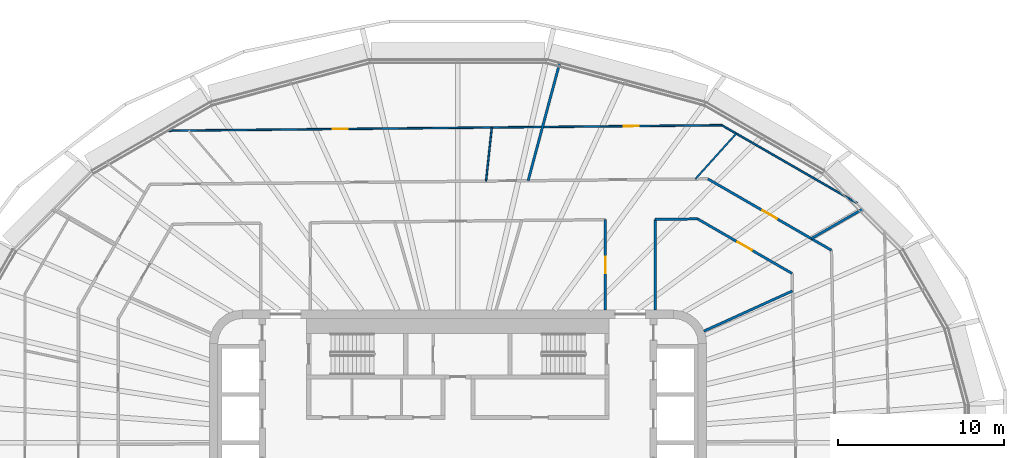
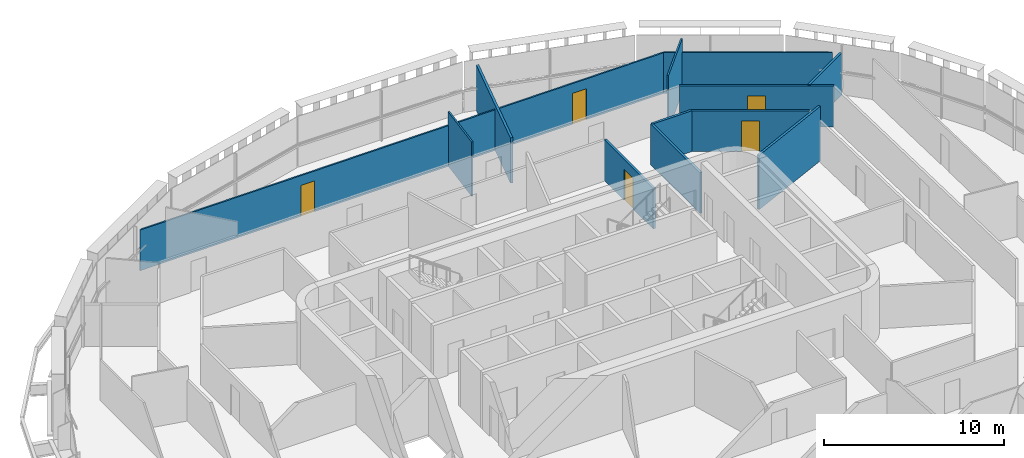
# One storey, part 14 of 22: 12 walls, 5 doors, 5 openings.
"""IFC4 building model written with IfcOpenShell, lengths in metres."""

from ifc_helpers import new_model, si_unit, direction, frame, frame_2d, origin, place, context, subcontext, project, spatial, rectangle, extrude, material, layer, layer_set, type_object, element, fill, save


model = new_model("IFC4")

# Units and contexts
model_context = context("Model", 3, precision=1e-05, world=origin(), true_north=direction((0.0, 1.0)))
body_context = subcontext(model_context, "Body", "Model", "MODEL_VIEW")
ifc_project = project(units=[si_unit("LENGTHUNIT", "METRE"), si_unit("AREAUNIT", "SQUARE_METRE"), si_unit("VOLUMEUNIT", "CUBIC_METRE"), si_unit("PLANEANGLEUNIT", "RADIAN"), si_unit("MASSUNIT", "GRAM", prefix="KILO")], contexts=[model_context])

# Site, building, storey
site_placement = place(None, origin())
site = spatial("IfcSite", under=ifc_project, at=site_placement, CompositionType="ELEMENT")
building_placement = place(site_placement, origin())
building = spatial("IfcBuilding", under=site, at=building_placement, Name="Sahrelin Media Tower", CompositionType="ELEMENT")
storey_placement = place(building_placement, frame((0.0, 0.0, 189.60009765625)))
storey = spatial("IfcBuildingStorey", under=building, at=storey_placement, Name="L40", CompositionType="ELEMENT", Elevation=189.60009765625)

# Wall, opening, door
ifc_material_1 = material(Name="Fire-rated gypsum board partition")
ifc_layer_1 = layer(ifc_material_1, 0.14990234375)
ifc_layer_set_1 = layer_set([ifc_layer_1], Name="Fire-rated partition 150")
wall_type_1 = type_object("IfcWallType", Name="Fire-rated partition 150", PredefinedType="PARTITIONING", material=ifc_layer_set_1)
wall_1_placement = place(storey_placement, frame((14.447998046875, 13.514892578125, 0.0), z_axis=(0.0, 0.0, 1.0), x_axis=(0.866032288321, -0.499988075443, 0.0)))
wall_1 = element("IfcWall", 1, at=wall_1_placement, inside=storey, type_object=wall_type_1, Name="Wall", PredefinedType="PARTITIONING", context=body_context, shape_type="SweptSolid", body=[
    extrude(rectangle(XDim=6.603759765625, YDim=0.14990234375, at=frame_2d((3.3017578125, 0.0))), origin(), (0.0, 0.0, 1.0), 2.77685546875),
])
opening_1_placement = place(wall_1_placement, frame((2.801513671875, 0.0, 0.0)))
opening_1 = element("IfcOpeningElement", 2, at=opening_1_placement, cuts=wall_1, Name="Opening L40-D27", PredefinedType="OPENING", context=body_context, shape_type="SweptSolid", body=[
    extrude(rectangle(XDim=1.0, YDim=2.10009765625, at=frame_2d((0.5, 1.050048828125))), frame((0.0, 0.074951171875, 0.0), z_axis=(0.0, -1.0, 0.0), x_axis=(1.0, 0.0, 0.0)), (0.0, 0.0, 1.0), 0.14990234375),
])
ifc_material_2 = material(Name="Steel fire door leaf", Category="steel")
door_type_1 = type_object("IfcDoorType", Name="Fire door 1000 x 2100 EI 60", OperationType="NOTDEFINED", PredefinedType="DOOR", material=ifc_material_2)
door_1_placement = place(opening_1_placement, origin())
door_1 = element("IfcDoor", 3, at=door_1_placement, inside=storey, type_object=door_type_1, Name="Fire door", OperationType="SINGLE_SWING_RIGHT", OverallHeight=2.10009765625, OverallWidth=1.0, PredefinedType="DOOR", context=body_context, shape_type="SweptSolid", body=[
    extrude(rectangle(XDim=1.0, YDim=2.10009765625, at=frame_2d((0.5, 1.050048828125))), frame((0.0, 0.02490234375, 0.0), z_axis=(0.0, -1.0, 0.0), x_axis=(1.0, 0.0, 0.0)), (0.0, 0.0, 1.0), 0.050048828125),
])
fill(opening_1, door_1)

wall_2_placement = place(storey_placement, frame((15.080078125, 15.921142578125, 0.0), z_axis=(0.0, 0.0, 1.0), x_axis=(0.866020838546, -0.500007907142, 0.0)))
wall_2 = element("IfcWall", 4, at=wall_2_placement, inside=storey, type_object=wall_type_1, Name="Wall", PredefinedType="PARTITIONING", context=body_context, shape_type="SweptSolid", body=[
    extrude(rectangle(XDim=8.612548828125, YDim=0.14990234375, at=frame_2d((4.30615234375, 0.0))), origin(), (0.0, 0.0, 1.0), 2.77685546875),
])
opening_2_placement = place(wall_2_placement, frame((3.807861328125, 0.0, 0.0)))
opening_2 = element("IfcOpeningElement", 5, at=opening_2_placement, cuts=wall_2, Name="Opening L40-D38", PredefinedType="OPENING", context=body_context, shape_type="SweptSolid", body=[
    extrude(rectangle(XDim=1.0, YDim=2.10009765625, at=frame_2d((0.5, 1.050048828125))), frame((0.0, 0.074951171875, 0.0), z_axis=(0.0, -1.0, 0.0), x_axis=(1.0, 0.0, 0.0)), (0.0, 0.0, 1.0), 0.14990234375),
])
door_2_placement = place(opening_2_placement, origin())
door_2 = element("IfcDoor", 6, at=door_2_placement, inside=storey, type_object=door_type_1, Name="Fire door", OperationType="SINGLE_SWING_RIGHT", OverallHeight=2.10009765625, OverallWidth=1.0, PredefinedType="DOOR", context=body_context, shape_type="SweptSolid", body=[
    extrude(rectangle(XDim=1.0, YDim=2.10009765625, at=frame_2d((0.5, 1.050048828125))), frame((0.0, 0.02490234375, 0.0), z_axis=(0.0, -1.0, 0.0), x_axis=(1.0, 0.0, 0.0)), (0.0, 0.0, 1.0), 0.050048828125),
])
fill(opening_2, door_2)

# Walls
wall_3_placement = place(storey_placement, frame((11.89990234375, 13.47998046875, 0.0), z_axis=(0.0, 0.0, 1.0), x_axis=(0.999951307579, 0.009868255694, 0.0)))
element("IfcWall", 7, at=wall_3_placement, inside=storey, type_object=wall_type_1, Name="Wall", PredefinedType="PARTITIONING", context=body_context, shape_type="SweptSolid", body=[
    extrude(rectangle(XDim=2.54833984375, YDim=0.14990234375, at=frame_2d((1.274169921875, 0.0))), origin(), (0.0, 0.0, 1.0), 2.77685546875),
])
wall_4_placement = place(storey_placement, frame((14.843017578125, 6.73291015625, 0.0), z_axis=(0.0, 0.0, 1.0), x_axis=(0.910628361306, 0.413226315214, 0.0)))
element("IfcWall", 8, at=wall_4_placement, inside=storey, type_object=wall_type_1, Name="Wall", PredefinedType="PARTITIONING", context=body_context, shape_type="SweptSolid", body=[
    extrude(rectangle(XDim=5.870361328125, YDim=0.14990234375, at=frame_2d((2.93505859375, 0.0))), origin(), (0.0, 0.0, 1.0), 3.699951171875),
])
wall_5_placement = place(storey_placement, frame((21.3291015625, 12.31396484375, 0.0), z_axis=(0.0, 0.0, 1.0), x_axis=(0.866038125567, 0.499977964579, 0.0)))
element("IfcWall", 9, at=wall_5_placement, inside=storey, type_object=wall_type_1, Name="Wall", PredefinedType="PARTITIONING", context=body_context, shape_type="SweptSolid", body=[
    extrude(rectangle(XDim=3.584228515625, YDim=0.14990234375, at=frame_2d((1.7919921875, 0.0))), origin(), (0.0, 0.0, 1.0), 2.844970703125),
])
wall_6_placement = place(storey_placement, frame((4.237060546875, 15.81298828125, 0.0), z_axis=(0.0, 0.0, 1.0), x_axis=(0.258799155252, 0.965931155539, 0.0)))
element("IfcWall", 10, at=wall_6_placement, inside=storey, type_object=wall_type_1, Name="Wall", PredefinedType="PARTITIONING", context=body_context, shape_type="SweptSolid", body=[
    extrude(rectangle(XDim=7.3525390625, YDim=0.14990234375, at=frame_2d((3.67626953125, 0.0))), origin(), (0.0, 0.0, 1.0), 3.077392578125),
])
wall_7_placement = place(storey_placement, frame((11.89990234375, 8.0, 0.0), z_axis=(0.0, 0.0, 1.0), x_axis=(0.0, 1.0, 0.0)))
element("IfcWall", 11, at=wall_7_placement, inside=storey, type_object=wall_type_1, Name="Wall", PredefinedType="PARTITIONING", context=body_context, shape_type="SweptSolid", body=[
    extrude(rectangle(XDim=5.47900390625, YDim=0.14990234375, at=frame_2d((2.739501953125, 0.0))), origin(), (0.0, 0.0, 1.0), 2.77685546875),
])

# Wall, opening, door
wall_8_placement = place(storey_placement, frame((8.89990234375, 8.0, 0.0), z_axis=(0.0, 0.0, 1.0), x_axis=(0.0, 1.0, 0.0)))
wall_8 = element("IfcWall", 12, at=wall_8_placement, inside=storey, type_object=wall_type_1, Name="Wall", PredefinedType="PARTITIONING", context=body_context, shape_type="SweptSolid", body=[
    extrude(rectangle(XDim=5.4599609375, YDim=0.14990234375, at=frame_2d((2.72998046875, 0.0))), origin(), (0.0, 0.0, 1.0), 2.77685546875),
])
opening_3_placement = place(wall_8_placement, frame((2.22998046875, 0.0, 0.0)))
opening_3 = element("IfcOpeningElement", 13, at=opening_3_placement, cuts=wall_8, Name="Opening L40-D28", PredefinedType="OPENING", context=body_context, shape_type="SweptSolid", body=[
    extrude(rectangle(XDim=1.0, YDim=2.10009765625, at=frame_2d((0.5, 1.050048828125))), frame((0.0, 0.074951171875, 0.0), z_axis=(0.0, -1.0, 0.0), x_axis=(1.0, 0.0, 0.0)), (0.0, 0.0, 1.0), 0.14990234375),
])
door_3_placement = place(opening_3_placement, origin())
door_3 = element("IfcDoor", 14, at=door_3_placement, inside=storey, type_object=door_type_1, Name="Fire door", OperationType="SINGLE_SWING_RIGHT", OverallHeight=2.10009765625, OverallWidth=1.0, PredefinedType="DOOR", context=body_context, shape_type="SweptSolid", body=[
    extrude(rectangle(XDim=1.0, YDim=2.10009765625, at=frame_2d((0.5, 1.050048828125))), frame((0.0, 0.02490234375, 0.0), z_axis=(0.0, -1.0, 0.0), x_axis=(1.0, 0.0, 0.0)), (0.0, 0.0, 1.0), 0.050048828125),
])
fill(opening_3, door_3)

# Wall
ifc_material_3 = material(Name="Gypsum board partition")
ifc_layer_2 = layer(ifc_material_3, 0.10009765625)
ifc_layer_set_2 = layer_set([ifc_layer_2], Name="Partition 100")
wall_type_2 = type_object("IfcWallType", Name="Partition 100", PredefinedType="PARTITIONING", material=ifc_layer_set_2)
wall_9_placement = place(storey_placement, frame((15.930908203125, 19.159912109375, 0.0), z_axis=(0.0, 0.0, 1.0), x_axis=(0.86598056092, -0.500077662076, 0.0)))
element("IfcWall", 15, at=wall_9_placement, inside=storey, type_object=wall_type_2, Name="Wall", PredefinedType="PARTITIONING", context=body_context, shape_type="SweptSolid", body=[
    extrude(rectangle(XDim=9.419921875, YDim=0.10009765625, at=frame_2d((4.7099609375, 0.0))), origin(), (0.0, 0.0, 1.0), 2.77685546875),
])

# Wall, openings, doors
wall_10_placement = place(storey_placement, frame((-17.945068359375, 18.823974609375, 0.0), z_axis=(0.0, 0.0, 1.0), x_axis=(0.999950833273, 0.009916200716, 0.0)))
wall_10 = element("IfcWall", 16, at=wall_10_placement, inside=storey, type_object=wall_type_2, Name="Wall", PredefinedType="PARTITIONING", context=body_context, shape_type="SweptSolid", body=[
    extrude(rectangle(XDim=33.877685546875, YDim=0.10009765625, at=frame_2d((16.93896484375, 0.0))), origin(), (0.0, 0.0, 1.0), 2.76806640625),
])
opening_4_placement = place(wall_10_placement, frame((27.963623046875, 0.0, 0.0)))
opening_4 = element("IfcOpeningElement", 17, at=opening_4_placement, cuts=wall_10, Name="Opening L40-D40", PredefinedType="OPENING", context=body_context, shape_type="SweptSolid", body=[
    extrude(rectangle(XDim=0.89990234375, YDim=2.10009765625, at=frame_2d((0.449951171875, 1.050048828125))), frame((0.0, 0.050048828125, 0.0), z_axis=(0.0, -1.0, 0.0), x_axis=(1.0, 0.0, 0.0)), (0.0, 0.0, 1.0), 0.10009765625),
])
opening_5_placement = place(wall_10_placement, frame((10.3896484375, 0.0, 0.0)))
opening_5 = element("IfcOpeningElement", 18, at=opening_5_placement, cuts=wall_10, Name="Opening L40-D45", PredefinedType="OPENING", context=body_context, shape_type="SweptSolid", body=[
    extrude(rectangle(XDim=0.89990234375, YDim=2.10009765625, at=frame_2d((0.449951171875, 1.050048828125))), frame((0.0, 0.050048828125, 0.0), z_axis=(0.0, -1.0, 0.0), x_axis=(1.0, 0.0, 0.0)), (0.0, 0.0, 1.0), 0.10009765625),
])
ifc_material_4 = material(Name="Timber door leaf", Category="wood")
door_type_2 = type_object("IfcDoorType", Name="Single door 900 x 2100", OperationType="NOTDEFINED", PredefinedType="DOOR", material=ifc_material_4)
door_4_placement = place(opening_4_placement, origin())
door_4 = element("IfcDoor", 19, at=door_4_placement, inside=storey, type_object=door_type_2, Name="Single door", OperationType="SINGLE_SWING_LEFT", OverallHeight=2.10009765625, OverallWidth=0.89990234375, PredefinedType="DOOR", context=body_context, shape_type="SweptSolid", body=[
    extrude(rectangle(XDim=0.89990234375, YDim=2.10009765625, at=frame_2d((0.449951171875, 1.050048828125))), frame((0.0, 0.02490234375, 0.0), z_axis=(0.0, -1.0, 0.0), x_axis=(1.0, 0.0, 0.0)), (0.0, 0.0, 1.0), 0.050048828125),
])
fill(opening_4, door_4)
door_5_placement = place(opening_5_placement, origin())
door_5 = element("IfcDoor", 20, at=door_5_placement, inside=storey, type_object=door_type_2, Name="Single door", OperationType="SINGLE_SWING_RIGHT", OverallHeight=2.10009765625, OverallWidth=0.89990234375, PredefinedType="DOOR", context=body_context, shape_type="SweptSolid", body=[
    extrude(rectangle(XDim=0.89990234375, YDim=2.10009765625, at=frame_2d((0.449951171875, 1.050048828125))), frame((0.0, 0.02490234375, 0.0), z_axis=(0.0, -1.0, 0.0), x_axis=(1.0, 0.0, 0.0)), (0.0, 0.0, 1.0), 0.050048828125),
])
fill(opening_5, door_5)

# Walls
wall_11_placement = place(storey_placement, frame((14.3291015625, 15.9140625, 0.0), z_axis=(0.0, 0.0, 1.0), x_axis=(0.669180226247, 0.74310014453, 0.0)))
element("IfcWall", 21, at=wall_11_placement, inside=storey, type_object=wall_type_2, Name="Wall", PredefinedType="PARTITIONING", context=body_context, shape_type="SweptSolid", body=[
    extrude(rectangle(XDim=3.6923828125, YDim=0.10009765625, at=frame_2d((1.84619140625, 0.0))), origin(), (0.0, 0.0, 1.0), 3.699951171875),
])
wall_12_placement = place(storey_placement, frame((1.696044921875, 15.7880859375, 0.0), z_axis=(0.0, 0.0, 1.0), x_axis=(0.106930547304, 0.994266492472, 0.0)))
element("IfcWall", 22, at=wall_12_placement, inside=storey, type_object=wall_type_2, Name="Wall", PredefinedType="PARTITIONING", context=body_context, shape_type="SweptSolid", body=[
    extrude(rectangle(XDim=3.25341796875, YDim=0.10009765625, at=frame_2d((1.626708984375, 0.0))), origin(), (0.0, 0.0, 1.0), 3.699951171875),
])

save(model, "model.ifc")
